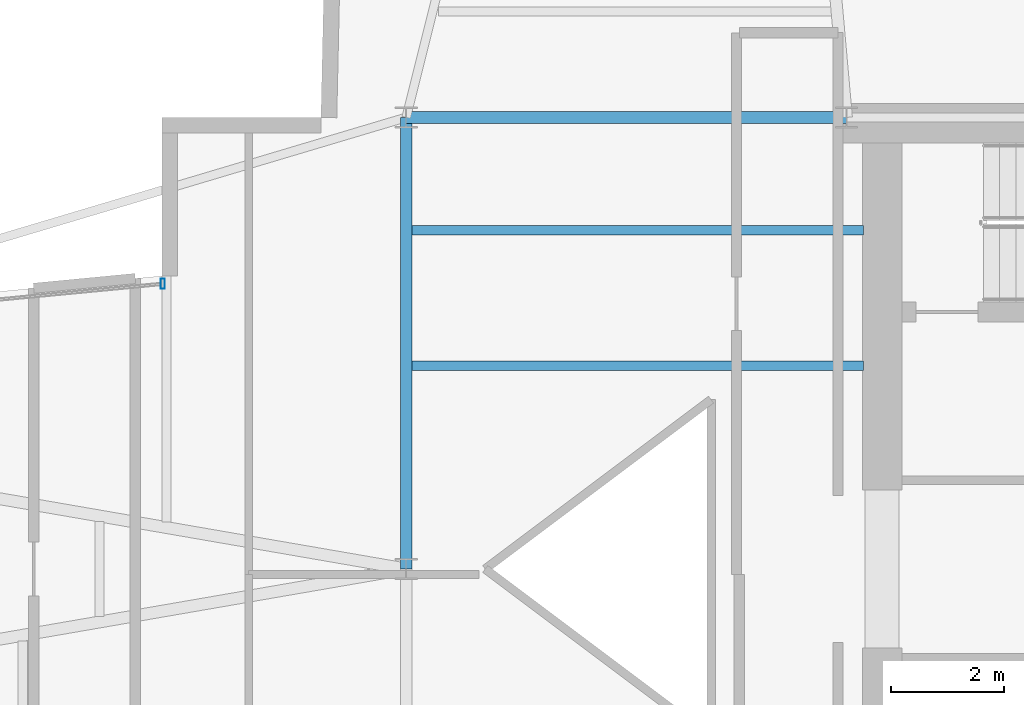
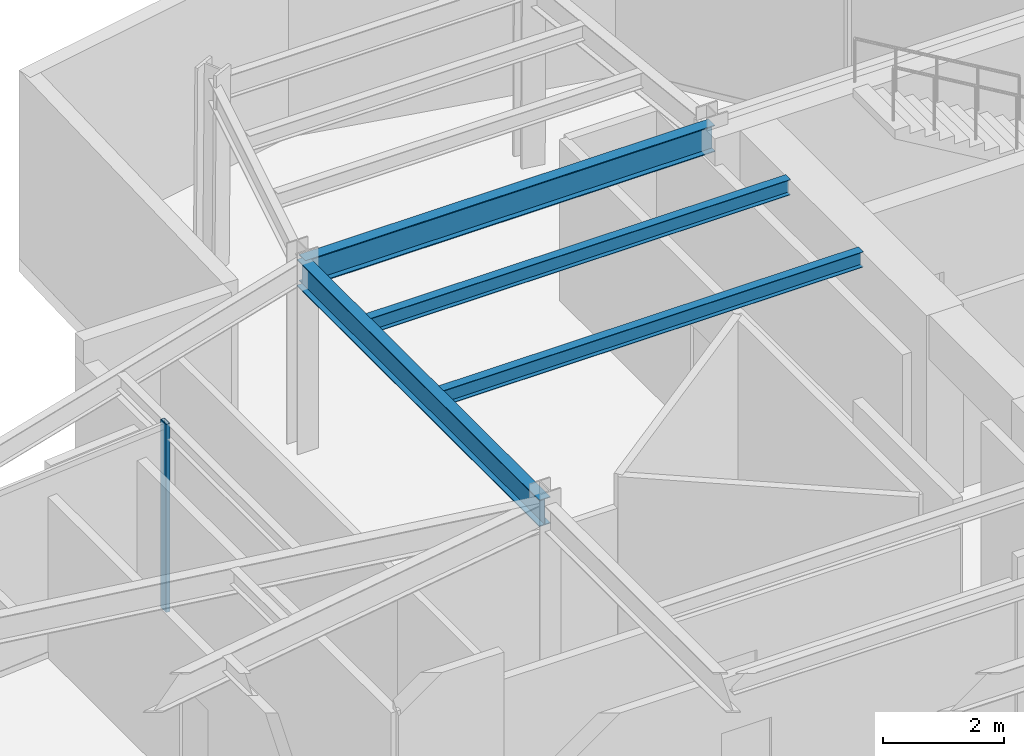
# One storey, part 8 of 18: 4 beams, 1 member, 1 element without a shape of its own.
"""IFC4 building model written with IfcOpenShell, lengths in metres."""

from ifc_helpers import new_model, si_unit, direction, frame, origin, origin_2d, place, context, subcontext, project, spatial, hollow_rectangle, i_section, extrude, material, layer, layer_set, material_profile, profile_set, type_object, element, aggregate, save


model = new_model("IFC4")

# Units and contexts
model_context = context("Model", 3, precision=1e-05, world=origin(), true_north=direction((0.0, 1.0)))
body_context = subcontext(model_context, "Body", "Model", "MODEL_VIEW")
ifc_project = project(units=[si_unit("LENGTHUNIT", "METRE"), si_unit("AREAUNIT", "SQUARE_METRE"), si_unit("VOLUMEUNIT", "CUBIC_METRE"), si_unit("PLANEANGLEUNIT", "RADIAN"), si_unit("MASSUNIT", "GRAM", prefix="KILO")], contexts=[model_context])

# Site, building, storey
site_placement = place(None, origin())
site = spatial("IfcSite", under=ifc_project, at=site_placement, CompositionType="ELEMENT")
building_placement = place(site_placement, origin())
building = spatial("IfcBuilding", under=site, at=building_placement, Name="Veymaron Broadcast Tower", CompositionType="ELEMENT")
storey_placement = place(building_placement, frame((0.0, 0.0, 236.39990234375)))
storey = spatial("IfcBuildingStorey", under=building, at=storey_placement, Name="L55", CompositionType="ELEMENT", Elevation=236.39990234375)

# Beams
ifc_material_1 = material(Name="Structural steel ASTM A992 Gr 50", Category="steel")
ifc_material_profile_1 = material_profile(ifc_material_1, i_section(OverallWidth=0.2099609375, OverallDepth=0.537109375, WebThickness=0.010986328125, FlangeThickness=0.017333984375, at=origin_2d()), Name="W530X101")
ifc_profile_set_1 = profile_set([ifc_material_profile_1], Name="Structural steel ASTM A992 Gr 50")
beam_type_1 = type_object("IfcBeamType", Name="BM-FG3", PredefinedType="BEAM", material=ifc_profile_set_1)
beam_1_placement = place(storey_placement, frame((31.199951171875, 24.0, 3.521484375), z_axis=(0.0, 1.0, 0.0), x_axis=(-1.0, 0.0, 0.0)))
element("IfcBeam", 1, at=beam_1_placement, inside=storey, type_object=beam_type_1, Name="L55 primary structural floor girder", PredefinedType="BEAM", context=body_context, shape_type="SweptSolid", body=[
    extrude(i_section(OverallWidth=0.2099609375, OverallDepth=0.537109375, WebThickness=0.010986328125, FlangeThickness=0.017333984375, at=origin_2d()), origin(), (0.0, 0.0, 1.0), 8.0),
])
beam_2_placement = place(storey_placement, frame((31.199951171875, 32.0, 3.521484375), z_axis=(1.0, 0.0, 0.0), x_axis=(0.0, 1.0, 0.0)))
element("IfcBeam", 2, at=beam_2_placement, inside=storey, type_object=beam_type_1, Name="L55 primary structural floor girder", PredefinedType="BEAM", context=body_context, shape_type="SweptSolid", body=[
    extrude(i_section(OverallWidth=0.2099609375, OverallDepth=0.537109375, WebThickness=0.010986328125, FlangeThickness=0.017333984375, at=origin_2d()), origin(), (0.0, 0.0, 1.0), 7.800048828125),
])
ifc_material_profile_2 = material_profile(ifc_material_1, i_section(OverallWidth=0.1650390625, OverallDepth=0.31005859375, WebThickness=0.005859375, FlangeThickness=0.009765625, at=origin_2d()), Name="W310X39")
ifc_profile_set_2 = profile_set([ifc_material_profile_2], Name="Structural steel ASTM A992 Gr 50")
beam_type_2 = type_object("IfcBeamType", Name="BM-JS3", PredefinedType="JOIST", material=ifc_profile_set_2)
for number, where, z_axis, x_axis, name in (
    (3, (31.300048828125, 27.60009765625, 3.635009765625), (1.0, 0.0, 0.0), (0.0, 1.0, 0.0), "L55 Hub secondary joist 3"),
    (4, (31.300048828125, 30.0, 3.635009765625), (1.0, 0.0, 0.0), (0.0, 1.0, 0.0), "L55 Hub secondary joist 4"),
):
    element("IfcBeam", number, at=place(storey_placement, frame(where, z_axis=z_axis, x_axis=x_axis)), inside=storey, type_object=beam_type_2, Name=name, PredefinedType="JOIST", context=body_context, shape_type="SweptSolid", body=[
        extrude(i_section(OverallWidth=0.1650390625, OverallDepth=0.31005859375, WebThickness=0.005859375, FlangeThickness=0.009765625, at=origin_2d()), origin(), (0.0, 0.0, 1.0), 8.0),
    ])

# Curtain wall, member
ifc_material_2 = material(Name="Anodised aluminium AA 6063-T6 and laminated low-E dark glass", Category="aluminium")
ifc_layer = layer(ifc_material_2, 0.179931640625)
ifc_layer_set = layer_set([ifc_layer], Name="Anodised aluminium AA 6063-T6 and laminated low-E dark glass")
curtain_wall_type = type_object("IfcCurtainWallType", Name="CW-SYS-05", PredefinedType="NOTDEFINED", material=ifc_layer_set)
curtain_wall_placement = place(storey_placement, origin())
curtain_wall = element("IfcCurtainWall", 5, at=curtain_wall_placement, inside=storey, type_object=curtain_wall_type, Name="L55 dark-glass curtain wall CW-L55-E13-1", PredefinedType="NOTDEFINED")
ifc_material_3 = material(Name="Anodised aluminium AA 6063-T6", Category="aluminium")
ifc_material_profile_3 = material_profile(ifc_material_3, hollow_rectangle(XDim=0.074951171875, YDim=0.179931640625, WallThickness=0.0048828125, at=origin_2d()), Name="AL180X75X5")
ifc_profile_set_3 = profile_set([ifc_material_profile_3], Name="Anodised aluminium AA 6063-T6")
member_type = type_object("IfcMemberType", Name="CW-MUL-02", PredefinedType="MULLION", material=ifc_profile_set_3)
member_placement = place(storey_placement, frame((26.885498046875, 29.052490234375, 0.0), z_axis=(0.0, 0.0, 1.0), x_axis=(1.0, 0.0, 0.0)))
member = element("IfcMember", 6, at=member_placement, type_object=member_type, Name="CW-L55-E13-1 mullion 0", PredefinedType="MULLION", context=body_context, shape_type="SweptSolid", body=[
    extrude(hollow_rectangle(XDim=0.074951171875, YDim=0.179931640625, WallThickness=0.0048828125, at=origin_2d()), origin(), (0.0, 0.0, 1.0), 3.7900390625),
])
aggregate(curtain_wall, [member])

save(model, "model.ifc")
